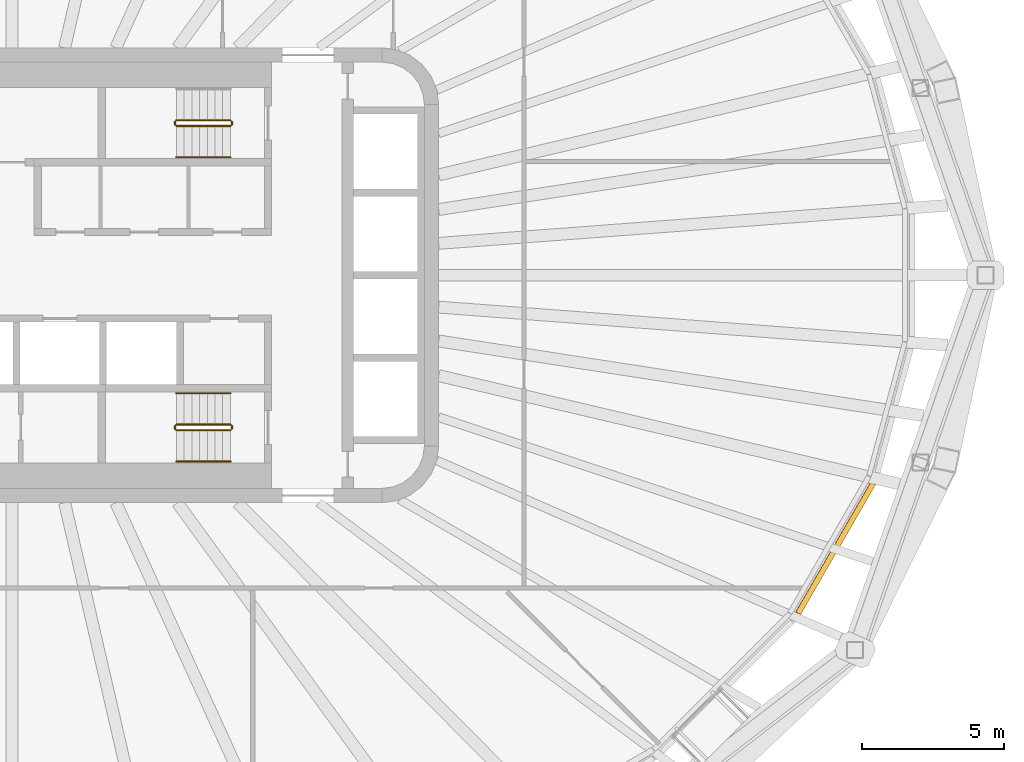
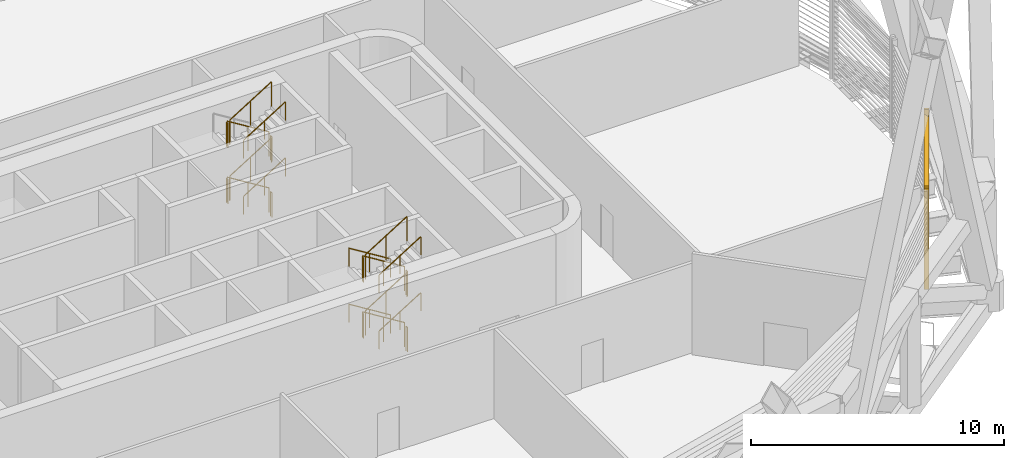
# One storey, part 15 of 18: 22 railings, 1 shading device.
"""IFC4 building model written with IfcOpenShell, lengths in metres."""

from ifc_helpers import new_model, si_unit, direction, frame, origin, origin_2d, place, context, subcontext, project, spatial, rectangle, circle, extrude, material, type_object, element, save


model = new_model("IFC4")

# Units and contexts
model_context = context("Model", 3, precision=1e-05, world=origin(), true_north=direction((0.0, 1.0)))
body_context = subcontext(model_context, "Body", "Model", "MODEL_VIEW")
ifc_project = project(units=[si_unit("LENGTHUNIT", "METRE"), si_unit("AREAUNIT", "SQUARE_METRE"), si_unit("VOLUMEUNIT", "CUBIC_METRE"), si_unit("PLANEANGLEUNIT", "RADIAN"), si_unit("MASSUNIT", "GRAM", prefix="KILO")], contexts=[model_context])

# Site, building, storey
site_placement = place(None, origin())
site = spatial("IfcSite", under=ifc_project, at=site_placement, CompositionType="ELEMENT")
building_placement = place(site_placement, origin())
building = spatial("IfcBuilding", under=site, at=building_placement, Name="Sahrelin Media Tower", CompositionType="ELEMENT")
storey_placement = place(building_placement, frame((0.0, 0.0, 148.199951171875)))
storey = spatial("IfcBuildingStorey", under=building, at=storey_placement, Name="L30", CompositionType="ELEMENT", Elevation=148.199951171875)

# Shading device
ifc_material_1 = material(Name="Champagne anodised aluminium 6063-T6", Category="aluminium")
shading_device_type = type_object("IfcShadingDeviceType", Name="Sand-rejection louvre band", PredefinedType="USERDEFINED", material=ifc_material_1)
shading_device_placement = place(storey_placement, frame((28.866943359375, -9.552734375, 0.0), z_axis=(0.0, 0.0, 1.0), x_axis=(-0.500011000363, -0.866019052629, 0.0)))
element("IfcShadingDevice", 1, at=shading_device_placement, inside=storey, type_object=shading_device_type, Name="L30:LOUVRE:L30-22", ObjectType="LOUVRE", PredefinedType="USERDEFINED", context=body_context, shape_type="SweptSolid", body=[
    extrude(rectangle(XDim=0.1201171875, YDim=0.199951171875, at=origin_2d()), frame((2.69580078125, 0.10009765625, 0.050048828125), z_axis=(0.0, 0.0, 1.0), x_axis=(1.0, 0.0, 0.0)), (0.0, 0.0, 1.0), 4.8984375),
    extrude(rectangle(XDim=0.1201171875, YDim=0.199951171875, at=origin_2d()), frame((-2.69580078125, 0.10009765625, 0.050048828125), z_axis=(0.0, 0.0, 1.0), x_axis=(1.0, 0.0, 0.0)), (0.0, 0.0, 1.0), 4.8984375),
    extrude(rectangle(XDim=0.25, YDim=0.02001953125, at=origin_2d()), frame((2.635986328125, 0.10009765625, 0.14990234375), z_axis=(-1.0, 0.0, 0.0), x_axis=(0.0, -0.766044443119, 0.642787609687)), (0.0, 0.0, 1.0), 5.27197265625),
    extrude(rectangle(XDim=0.25, YDim=0.02001953125, at=origin_2d()), frame((2.635986328125, 0.10009765625, 0.39990234375), z_axis=(-1.0, 0.0, 0.0), x_axis=(0.0, -0.766044443119, 0.642787609687)), (0.0, 0.0, 1.0), 5.27197265625),
    extrude(rectangle(XDim=0.25, YDim=0.02001953125, at=origin_2d()), frame((2.635986328125, 0.10009765625, 0.64990234375), z_axis=(-1.0, 0.0, 0.0), x_axis=(0.0, -0.766044443119, 0.642787609687)), (0.0, 0.0, 1.0), 5.27197265625),
    extrude(rectangle(XDim=0.25, YDim=0.02001953125, at=origin_2d()), frame((2.635986328125, 0.10009765625, 0.89990234375), z_axis=(-1.0, 0.0, 0.0), x_axis=(0.0, -0.766044443119, 0.642787609687)), (0.0, 0.0, 1.0), 5.27197265625),
    extrude(rectangle(XDim=0.25, YDim=0.02001953125, at=origin_2d()), frame((2.635986328125, 0.10009765625, 1.14990234375), z_axis=(-1.0, 0.0, 0.0), x_axis=(0.0, -0.766044443119, 0.642787609687)), (0.0, 0.0, 1.0), 5.27197265625),
    extrude(rectangle(XDim=0.25, YDim=0.02001953125, at=origin_2d()), frame((2.635986328125, 0.10009765625, 1.39990234375), z_axis=(-1.0, 0.0, 0.0), x_axis=(0.0, -0.766044443119, 0.642787609687)), (0.0, 0.0, 1.0), 5.27197265625),
    extrude(rectangle(XDim=0.25, YDim=0.02001953125, at=origin_2d()), frame((2.635986328125, 0.10009765625, 1.64990234375), z_axis=(-1.0, 0.0, 0.0), x_axis=(0.0, -0.766044443119, 0.642787609687)), (0.0, 0.0, 1.0), 5.27197265625),
    extrude(rectangle(XDim=0.25, YDim=0.02001953125, at=origin_2d()), frame((2.635986328125, 0.10009765625, 1.89990234375), z_axis=(-1.0, 0.0, 0.0), x_axis=(0.0, -0.766044443119, 0.642787609687)), (0.0, 0.0, 1.0), 5.27197265625),
    extrude(rectangle(XDim=0.25, YDim=0.02001953125, at=origin_2d()), frame((2.635986328125, 0.10009765625, 2.14990234375), z_axis=(-1.0, 0.0, 0.0), x_axis=(0.0, -0.766044443119, 0.642787609687)), (0.0, 0.0, 1.0), 5.27197265625),
    extrude(rectangle(XDim=0.25, YDim=0.02001953125, at=origin_2d()), frame((2.635986328125, 0.10009765625, 2.39990234375), z_axis=(-1.0, 0.0, 0.0), x_axis=(0.0, -0.766044443119, 0.642787609687)), (0.0, 0.0, 1.0), 5.27197265625),
    extrude(rectangle(XDim=0.25, YDim=0.02001953125, at=origin_2d()), frame((2.635986328125, 0.10009765625, 2.64990234375), z_axis=(-1.0, 0.0, 0.0), x_axis=(0.0, -0.766044443119, 0.642787609687)), (0.0, 0.0, 1.0), 5.27197265625),
    extrude(rectangle(XDim=0.25, YDim=0.02001953125, at=origin_2d()), frame((2.635986328125, 0.10009765625, 2.89990234375), z_axis=(-1.0, 0.0, 0.0), x_axis=(0.0, -0.766044443119, 0.642787609687)), (0.0, 0.0, 1.0), 5.27197265625),
    extrude(rectangle(XDim=0.25, YDim=0.02001953125, at=origin_2d()), frame((2.635986328125, 0.10009765625, 3.14990234375), z_axis=(-1.0, 0.0, 0.0), x_axis=(0.0, -0.766044443119, 0.642787609687)), (0.0, 0.0, 1.0), 5.27197265625),
    extrude(rectangle(XDim=0.25, YDim=0.02001953125, at=origin_2d()), frame((2.635986328125, 0.10009765625, 3.39990234375), z_axis=(-1.0, 0.0, 0.0), x_axis=(0.0, -0.766044443119, 0.642787609687)), (0.0, 0.0, 1.0), 5.27197265625),
    extrude(rectangle(XDim=0.25, YDim=0.02001953125, at=origin_2d()), frame((2.635986328125, 0.10009765625, 3.64990234375), z_axis=(-1.0, 0.0, 0.0), x_axis=(0.0, -0.766044443119, 0.642787609687)), (0.0, 0.0, 1.0), 5.27197265625),
    extrude(rectangle(XDim=0.25, YDim=0.02001953125, at=origin_2d()), frame((2.635986328125, 0.10009765625, 3.89990234375), z_axis=(-1.0, 0.0, 0.0), x_axis=(0.0, -0.766044443119, 0.642787609687)), (0.0, 0.0, 1.0), 5.27197265625),
    extrude(rectangle(XDim=0.25, YDim=0.02001953125, at=origin_2d()), frame((2.635986328125, 0.10009765625, 4.14990234375), z_axis=(-1.0, 0.0, 0.0), x_axis=(0.0, -0.766044443119, 0.642787609687)), (0.0, 0.0, 1.0), 5.27197265625),
    extrude(rectangle(XDim=0.25, YDim=0.02001953125, at=origin_2d()), frame((2.635986328125, 0.10009765625, 4.39990234375), z_axis=(-1.0, 0.0, 0.0), x_axis=(0.0, -0.766044443119, 0.642787609687)), (0.0, 0.0, 1.0), 5.27197265625),
    extrude(rectangle(XDim=0.25, YDim=0.02001953125, at=origin_2d()), frame((2.635986328125, 0.10009765625, 4.64990234375), z_axis=(-1.0, 0.0, 0.0), x_axis=(0.0, -0.766044443119, 0.642787609687)), (0.0, 0.0, 1.0), 5.27197265625),
])

# Railings
ifc_material_2 = material(Name="Steel S355", Category="steel")
railing_type_1 = type_object("IfcRailingType", Name="Stair guard 1200", PredefinedType="GUARDRAIL", material=ifc_material_2)
railing_1_placement = place(storey_placement, frame((7.675048828125, 5.449951171875, 0.168701171875)))
element("IfcRailing", 2, at=railing_1_placement, inside=storey, type_object=railing_type_1, Name="L30 ST3 stair guard 1", PredefinedType="GUARDRAIL", context=body_context, shape_type="SweptSolid", body=[
    extrude(circle(Radius=0.02392578125, at=origin_2d()), frame((0.0, 0.0, 1.17578125), z_axis=(-0.849240365539, 0.0, 0.528006440812), x_axis=(0.0, -1.0, 0.0)), (0.0, 0.0, 1.0), 2.237548828125),
    extrude(circle(Radius=0.02099609375, at=origin_2d()), origin(), (0.0, 0.0, 1.0), 1.15185546875),
    extrude(circle(Radius=0.02099609375, at=origin_2d()), frame((-0.9501953125, 0.0, 0.5908203125)), (0.0, 0.0, 1.0), 1.15185546875),
    extrude(circle(Radius=0.02099609375, at=origin_2d()), frame((-1.900146484375, 0.0, 1.181396484375)), (0.0, 0.0, 1.0), 1.15185546875),
])
railing_2_placement = place(storey_placement, frame((5.72509765625, 5.39990234375, 1.35009765625)))
element("IfcRailing", 3, at=railing_2_placement, inside=storey, type_object=railing_type_1, Name="L30 ST3 stair guard 2", PredefinedType="GUARDRAIL", context=body_context, shape_type="SweptSolid", body=[
    extrude(circle(Radius=0.02392578125, at=origin_2d()), frame((0.0, 0.0, 1.17578125), z_axis=(0.0, -1.0, 0.0), x_axis=(1.0, 0.0, 0.0)), (0.0, 0.0, 1.0), 0.099853515625),
    extrude(circle(Radius=0.02099609375, at=origin_2d()), origin(), (0.0, 0.0, 1.0), 1.15185546875),
    extrude(circle(Radius=0.02099609375, at=origin_2d()), frame((0.0, -0.099853515625, 0.0)), (0.0, 0.0, 1.0), 1.15185546875),
])
railing_3_placement = place(storey_placement, frame((5.77490234375, 5.25, 1.518798828125)))
element("IfcRailing", 4, at=railing_3_placement, inside=storey, type_object=railing_type_1, Name="L30 ST3 stair guard 3", PredefinedType="GUARDRAIL", context=body_context, shape_type="SweptSolid", body=[
    extrude(circle(Radius=0.02392578125, at=origin_2d()), frame((0.0, 0.0, 1.17578125), z_axis=(0.849289292259, 0.0, 0.527927739425), x_axis=(0.0, 1.0, 0.0)), (0.0, 0.0, 1.0), 2.2373046875),
    extrude(circle(Radius=0.02099609375, at=origin_2d()), origin(), (0.0, 0.0, 1.0), 1.15185546875),
    extrude(circle(Radius=0.02099609375, at=origin_2d()), frame((0.9501953125, 0.0, 0.590576171875)), (0.0, 0.0, 1.0), 1.15185546875),
    extrude(circle(Radius=0.02099609375, at=origin_2d()), frame((1.900146484375, 0.0, 1.18115234375)), (0.0, 0.0, 1.0), 1.15185546875),
])
railing_4_placement = place(storey_placement, frame((7.72509765625, 5.39990234375, 2.699951171875)))
element("IfcRailing", 5, at=railing_4_placement, inside=storey, type_object=railing_type_1, Name="L30 ST3 stair guard 4", PredefinedType="GUARDRAIL", context=body_context, shape_type="SweptSolid", body=[
    extrude(circle(Radius=0.02392578125, at=origin_2d()), frame((0.0, 0.0, 1.17578125), z_axis=(0.0, -1.0, 0.0), x_axis=(1.0, 0.0, 0.0)), (0.0, 0.0, 1.0), 0.099853515625),
    extrude(circle(Radius=0.02099609375, at=origin_2d()), origin(), (0.0, 0.0, 1.0), 1.15185546875),
    extrude(circle(Radius=0.02099609375, at=origin_2d()), frame((0.0, -0.099853515625, 0.0)), (0.0, 0.0, 1.0), 1.15185546875),
])
railing_5_placement = place(storey_placement, frame((7.675048828125, 5.449951171875, 2.868896484375)))
element("IfcRailing", 6, at=railing_5_placement, inside=storey, type_object=railing_type_1, Name="L30 ST3 stair guard 5", PredefinedType="GUARDRAIL", context=body_context, shape_type="SweptSolid", body=[
    extrude(circle(Radius=0.02392578125, at=origin_2d()), frame((0.0, 0.0, 1.17578125), z_axis=(-0.849289292259, 0.0, 0.527927739425), x_axis=(0.0, -1.0, 0.0)), (0.0, 0.0, 1.0), 2.2373046875),
    extrude(circle(Radius=0.02099609375, at=origin_2d()), origin(), (0.0, 0.0, 1.0), 1.15185546875),
    extrude(circle(Radius=0.02099609375, at=origin_2d()), frame((-0.9501953125, 0.0, 0.590576171875)), (0.0, 0.0, 1.0), 1.15185546875),
    extrude(circle(Radius=0.02099609375, at=origin_2d()), frame((-1.900146484375, 0.0, 1.18115234375)), (0.0, 0.0, 1.0), 1.15185546875),
])
railing_6_placement = place(storey_placement, frame((5.72509765625, 5.39990234375, 4.050048828125)))
element("IfcRailing", 7, at=railing_6_placement, inside=storey, type_object=railing_type_1, Name="L30 ST3 stair guard 6", PredefinedType="GUARDRAIL", context=body_context, shape_type="SweptSolid", body=[
    extrude(circle(Radius=0.02392578125, at=origin_2d()), frame((0.0, 0.0, 1.17578125), z_axis=(0.0, -1.0, 0.0), x_axis=(1.0, 0.0, 0.0)), (0.0, 0.0, 1.0), 0.099853515625),
    extrude(circle(Radius=0.02099609375, at=origin_2d()), origin(), (0.0, 0.0, 1.0), 1.15185546875),
    extrude(circle(Radius=0.02099609375, at=origin_2d()), frame((0.0, -0.099853515625, 0.0)), (0.0, 0.0, 1.0), 1.15185546875),
])
railing_7_placement = place(storey_placement, frame((5.77490234375, 5.25, 4.21875)))
element("IfcRailing", 8, at=railing_7_placement, inside=storey, type_object=railing_type_1, Name="L30 ST3 stair guard 7", PredefinedType="GUARDRAIL", context=body_context, shape_type="SweptSolid", body=[
    extrude(circle(Radius=0.02392578125, at=origin_2d()), frame((0.0, 0.0, 1.17578125), z_axis=(0.849240365539, 0.0, 0.528006440812), x_axis=(0.0, 1.0, 0.0)), (0.0, 0.0, 1.0), 2.237548828125),
    extrude(circle(Radius=0.02099609375, at=origin_2d()), origin(), (0.0, 0.0, 1.0), 1.15185546875),
    extrude(circle(Radius=0.02099609375, at=origin_2d()), frame((0.9501953125, 0.0, 0.5908203125)), (0.0, 0.0, 1.0), 1.15185546875),
    extrude(circle(Radius=0.02099609375, at=origin_2d()), frame((1.900146484375, 0.0, 1.181396484375)), (0.0, 0.0, 1.0), 1.15185546875),
])
railing_8_placement = place(storey_placement, frame((7.72509765625, 5.39990234375, 0.0)))
element("IfcRailing", 9, at=railing_8_placement, inside=storey, type_object=railing_type_1, Name="L30 ST3 stair guard 8", PredefinedType="GUARDRAIL", context=body_context, shape_type="SweptSolid", body=[
    extrude(circle(Radius=0.02392578125, at=origin_2d()), frame((0.0, 0.0, 1.17578125), z_axis=(0.0, -1.0, 0.0), x_axis=(1.0, 0.0, 0.0)), (0.0, 0.0, 1.0), 0.099853515625),
    extrude(circle(Radius=0.02099609375, at=origin_2d()), origin(), (0.0, 0.0, 1.0), 1.15185546875),
    extrude(circle(Radius=0.02099609375, at=origin_2d()), frame((0.0, -0.099853515625, 0.0)), (0.0, 0.0, 1.0), 1.15185546875),
])
railing_9_placement = place(storey_placement, frame((7.675048828125, -5.25, 0.168701171875)))
element("IfcRailing", 10, at=railing_9_placement, inside=storey, type_object=railing_type_1, Name="L30 ST2 stair guard 1", PredefinedType="GUARDRAIL", context=body_context, shape_type="SweptSolid", body=[
    extrude(circle(Radius=0.02392578125, at=origin_2d()), frame((0.0, 0.0, 1.17578125), z_axis=(-0.849240365539, 0.0, 0.528006440812), x_axis=(0.0, -1.0, 0.0)), (0.0, 0.0, 1.0), 2.237548828125),
    extrude(circle(Radius=0.02099609375, at=origin_2d()), origin(), (0.0, 0.0, 1.0), 1.15185546875),
    extrude(circle(Radius=0.02099609375, at=origin_2d()), frame((-0.9501953125, 0.0, 0.5908203125)), (0.0, 0.0, 1.0), 1.15185546875),
    extrude(circle(Radius=0.02099609375, at=origin_2d()), frame((-1.900146484375, 0.0, 1.181396484375)), (0.0, 0.0, 1.0), 1.15185546875),
])
railing_10_placement = place(storey_placement, frame((5.72509765625, -5.300048828125, 1.35009765625)))
element("IfcRailing", 11, at=railing_10_placement, inside=storey, type_object=railing_type_1, Name="L30 ST2 stair guard 2", PredefinedType="GUARDRAIL", context=body_context, shape_type="SweptSolid", body=[
    extrude(circle(Radius=0.02392578125, at=origin_2d()), frame((0.0, 0.0, 1.17578125), z_axis=(0.0, -1.0, 0.0), x_axis=(1.0, 0.0, 0.0)), (0.0, 0.0, 1.0), 0.099853515625),
    extrude(circle(Radius=0.02099609375, at=origin_2d()), origin(), (0.0, 0.0, 1.0), 1.15185546875),
    extrude(circle(Radius=0.02099609375, at=origin_2d()), frame((0.0, -0.099853515625, 0.0)), (0.0, 0.0, 1.0), 1.15185546875),
])
railing_11_placement = place(storey_placement, frame((5.77490234375, -5.449951171875, 1.518798828125)))
element("IfcRailing", 12, at=railing_11_placement, inside=storey, type_object=railing_type_1, Name="L30 ST2 stair guard 3", PredefinedType="GUARDRAIL", context=body_context, shape_type="SweptSolid", body=[
    extrude(circle(Radius=0.02392578125, at=origin_2d()), frame((0.0, 0.0, 1.17578125), z_axis=(0.849289292259, 0.0, 0.527927739425), x_axis=(0.0, 1.0, 0.0)), (0.0, 0.0, 1.0), 2.2373046875),
    extrude(circle(Radius=0.02099609375, at=origin_2d()), origin(), (0.0, 0.0, 1.0), 1.15185546875),
    extrude(circle(Radius=0.02099609375, at=origin_2d()), frame((0.9501953125, 0.0, 0.590576171875)), (0.0, 0.0, 1.0), 1.15185546875),
    extrude(circle(Radius=0.02099609375, at=origin_2d()), frame((1.900146484375, 0.0, 1.18115234375)), (0.0, 0.0, 1.0), 1.15185546875),
])
railing_12_placement = place(storey_placement, frame((7.72509765625, -5.300048828125, 2.699951171875)))
element("IfcRailing", 13, at=railing_12_placement, inside=storey, type_object=railing_type_1, Name="L30 ST2 stair guard 4", PredefinedType="GUARDRAIL", context=body_context, shape_type="SweptSolid", body=[
    extrude(circle(Radius=0.02392578125, at=origin_2d()), frame((0.0, 0.0, 1.17578125), z_axis=(0.0, -1.0, 0.0), x_axis=(1.0, 0.0, 0.0)), (0.0, 0.0, 1.0), 0.099853515625),
    extrude(circle(Radius=0.02099609375, at=origin_2d()), origin(), (0.0, 0.0, 1.0), 1.15185546875),
    extrude(circle(Radius=0.02099609375, at=origin_2d()), frame((0.0, -0.099853515625, 0.0)), (0.0, 0.0, 1.0), 1.15185546875),
])
railing_13_placement = place(storey_placement, frame((7.675048828125, -5.25, 2.868896484375)))
element("IfcRailing", 14, at=railing_13_placement, inside=storey, type_object=railing_type_1, Name="L30 ST2 stair guard 5", PredefinedType="GUARDRAIL", context=body_context, shape_type="SweptSolid", body=[
    extrude(circle(Radius=0.02392578125, at=origin_2d()), frame((0.0, 0.0, 1.17578125), z_axis=(-0.849289292259, 0.0, 0.527927739425), x_axis=(0.0, -1.0, 0.0)), (0.0, 0.0, 1.0), 2.2373046875),
    extrude(circle(Radius=0.02099609375, at=origin_2d()), origin(), (0.0, 0.0, 1.0), 1.15185546875),
    extrude(circle(Radius=0.02099609375, at=origin_2d()), frame((-0.9501953125, 0.0, 0.590576171875)), (0.0, 0.0, 1.0), 1.15185546875),
    extrude(circle(Radius=0.02099609375, at=origin_2d()), frame((-1.900146484375, 0.0, 1.18115234375)), (0.0, 0.0, 1.0), 1.15185546875),
])
railing_14_placement = place(storey_placement, frame((5.72509765625, -5.300048828125, 4.050048828125)))
element("IfcRailing", 15, at=railing_14_placement, inside=storey, type_object=railing_type_1, Name="L30 ST2 stair guard 6", PredefinedType="GUARDRAIL", context=body_context, shape_type="SweptSolid", body=[
    extrude(circle(Radius=0.02392578125, at=origin_2d()), frame((0.0, 0.0, 1.17578125), z_axis=(0.0, -1.0, 0.0), x_axis=(1.0, 0.0, 0.0)), (0.0, 0.0, 1.0), 0.099853515625),
    extrude(circle(Radius=0.02099609375, at=origin_2d()), origin(), (0.0, 0.0, 1.0), 1.15185546875),
    extrude(circle(Radius=0.02099609375, at=origin_2d()), frame((0.0, -0.099853515625, 0.0)), (0.0, 0.0, 1.0), 1.15185546875),
])
railing_15_placement = place(storey_placement, frame((5.77490234375, -5.449951171875, 4.21875)))
element("IfcRailing", 16, at=railing_15_placement, inside=storey, type_object=railing_type_1, Name="L30 ST2 stair guard 7", PredefinedType="GUARDRAIL", context=body_context, shape_type="SweptSolid", body=[
    extrude(circle(Radius=0.02392578125, at=origin_2d()), frame((0.0, 0.0, 1.17578125), z_axis=(0.849240365539, 0.0, 0.528006440812), x_axis=(0.0, 1.0, 0.0)), (0.0, 0.0, 1.0), 2.237548828125),
    extrude(circle(Radius=0.02099609375, at=origin_2d()), origin(), (0.0, 0.0, 1.0), 1.15185546875),
    extrude(circle(Radius=0.02099609375, at=origin_2d()), frame((0.9501953125, 0.0, 0.5908203125)), (0.0, 0.0, 1.0), 1.15185546875),
    extrude(circle(Radius=0.02099609375, at=origin_2d()), frame((1.900146484375, 0.0, 1.181396484375)), (0.0, 0.0, 1.0), 1.15185546875),
])
railing_16_placement = place(storey_placement, frame((7.72509765625, -5.300048828125, 0.0)))
element("IfcRailing", 17, at=railing_16_placement, inside=storey, type_object=railing_type_1, Name="L30 ST2 stair guard 8", PredefinedType="GUARDRAIL", context=body_context, shape_type="SweptSolid", body=[
    extrude(circle(Radius=0.02392578125, at=origin_2d()), frame((0.0, 0.0, 1.17578125), z_axis=(0.0, -1.0, 0.0), x_axis=(1.0, 0.0, 0.0)), (0.0, 0.0, 1.0), 0.099853515625),
    extrude(circle(Radius=0.02099609375, at=origin_2d()), origin(), (0.0, 0.0, 1.0), 1.15185546875),
    extrude(circle(Radius=0.02099609375, at=origin_2d()), frame((0.0, -0.099853515625, 0.0)), (0.0, 0.0, 1.0), 1.15185546875),
])
railing_type_2 = type_object("IfcRailingType", Name="Stair handrail 900", PredefinedType="HANDRAIL", material=ifc_material_2)
railing_17_placement = place(storey_placement, frame((5.77490234375, 4.14990234375, 1.518798828125)))
element("IfcRailing", 18, at=railing_17_placement, inside=storey, type_object=railing_type_2, Name="L30 ST3 stair handrail 2", PredefinedType="HANDRAIL", context=body_context, shape_type="SweptSolid", body=[
    extrude(circle(Radius=0.02392578125, at=origin_2d()), frame((0.0, 0.0, 0.8759765625), z_axis=(0.849289292259, 0.0, 0.527927739425), x_axis=(0.0, 1.0, 0.0)), (0.0, 0.0, 1.0), 2.2373046875),
    extrude(circle(Radius=0.02099609375, at=origin_2d()), origin(), (0.0, 0.0, 1.0), 0.851806640625),
    extrude(circle(Radius=0.02099609375, at=origin_2d()), frame((0.9501953125, 0.0, 0.590576171875)), (0.0, 0.0, 1.0), 0.851806640625),
    extrude(circle(Radius=0.02099609375, at=origin_2d()), frame((1.900146484375, 0.0, 1.18115234375)), (0.0, 0.0, 1.0), 0.851806640625),
])
railing_18_placement = place(storey_placement, frame((5.77490234375, 4.14990234375, 4.21875)))
element("IfcRailing", 19, at=railing_18_placement, inside=storey, type_object=railing_type_2, Name="L30 ST3 stair handrail 4", PredefinedType="HANDRAIL", context=body_context, shape_type="SweptSolid", body=[
    extrude(circle(Radius=0.02392578125, at=origin_2d()), frame((0.0, 0.0, 0.8759765625), z_axis=(0.849240365539, 0.0, 0.528006440812), x_axis=(0.0, 1.0, 0.0)), (0.0, 0.0, 1.0), 2.237548828125),
    extrude(circle(Radius=0.02099609375, at=origin_2d()), origin(), (0.0, 0.0, 1.0), 0.851806640625),
    extrude(circle(Radius=0.02099609375, at=origin_2d()), frame((0.9501953125, 0.0, 0.5908203125)), (0.0, 0.0, 1.0), 0.851806640625),
    extrude(circle(Radius=0.02099609375, at=origin_2d()), frame((1.900146484375, 0.0, 1.181396484375)), (0.0, 0.0, 1.0), 0.851806640625),
])
railing_19_placement = place(storey_placement, frame((7.675048828125, -4.14990234375, 0.168701171875)))
element("IfcRailing", 20, at=railing_19_placement, inside=storey, type_object=railing_type_2, Name="L30 ST2 stair handrail 1", PredefinedType="HANDRAIL", context=body_context, shape_type="SweptSolid", body=[
    extrude(circle(Radius=0.02392578125, at=origin_2d()), frame((0.0, 0.0, 0.8759765625), z_axis=(-0.849240365539, 0.0, 0.528006440812), x_axis=(0.0, -1.0, 0.0)), (0.0, 0.0, 1.0), 2.237548828125),
    extrude(circle(Radius=0.02099609375, at=origin_2d()), origin(), (0.0, 0.0, 1.0), 0.851806640625),
    extrude(circle(Radius=0.02099609375, at=origin_2d()), frame((-0.9501953125, 0.0, 0.5908203125)), (0.0, 0.0, 1.0), 0.851806640625),
    extrude(circle(Radius=0.02099609375, at=origin_2d()), frame((-1.900146484375, 0.0, 1.181396484375)), (0.0, 0.0, 1.0), 0.851806640625),
])
railing_20_placement = place(storey_placement, frame((5.77490234375, -6.550048828125, 1.518798828125)))
element("IfcRailing", 21, at=railing_20_placement, inside=storey, type_object=railing_type_2, Name="L30 ST2 stair handrail 2", PredefinedType="HANDRAIL", context=body_context, shape_type="SweptSolid", body=[
    extrude(circle(Radius=0.02392578125, at=origin_2d()), frame((0.0, 0.0, 0.8759765625), z_axis=(0.849289292259, 0.0, 0.527927739425), x_axis=(0.0, 1.0, 0.0)), (0.0, 0.0, 1.0), 2.2373046875),
    extrude(circle(Radius=0.02099609375, at=origin_2d()), origin(), (0.0, 0.0, 1.0), 0.851806640625),
    extrude(circle(Radius=0.02099609375, at=origin_2d()), frame((0.9501953125, 0.0, 0.590576171875)), (0.0, 0.0, 1.0), 0.851806640625),
    extrude(circle(Radius=0.02099609375, at=origin_2d()), frame((1.900146484375, 0.0, 1.18115234375)), (0.0, 0.0, 1.0), 0.851806640625),
])
railing_21_placement = place(storey_placement, frame((7.675048828125, -4.14990234375, 2.868896484375)))
element("IfcRailing", 22, at=railing_21_placement, inside=storey, type_object=railing_type_2, Name="L30 ST2 stair handrail 3", PredefinedType="HANDRAIL", context=body_context, shape_type="SweptSolid", body=[
    extrude(circle(Radius=0.02392578125, at=origin_2d()), frame((0.0, 0.0, 0.8759765625), z_axis=(-0.849289292259, 0.0, 0.527927739425), x_axis=(0.0, -1.0, 0.0)), (0.0, 0.0, 1.0), 2.2373046875),
    extrude(circle(Radius=0.02099609375, at=origin_2d()), origin(), (0.0, 0.0, 1.0), 0.851806640625),
    extrude(circle(Radius=0.02099609375, at=origin_2d()), frame((-0.9501953125, 0.0, 0.590576171875)), (0.0, 0.0, 1.0), 0.851806640625),
    extrude(circle(Radius=0.02099609375, at=origin_2d()), frame((-1.900146484375, 0.0, 1.18115234375)), (0.0, 0.0, 1.0), 0.851806640625),
])
railing_22_placement = place(storey_placement, frame((5.77490234375, -6.550048828125, 4.21875)))
element("IfcRailing", 23, at=railing_22_placement, inside=storey, type_object=railing_type_2, Name="L30 ST2 stair handrail 4", PredefinedType="HANDRAIL", context=body_context, shape_type="SweptSolid", body=[
    extrude(circle(Radius=0.02392578125, at=origin_2d()), frame((0.0, 0.0, 0.8759765625), z_axis=(0.849240365539, 0.0, 0.528006440812), x_axis=(0.0, 1.0, 0.0)), (0.0, 0.0, 1.0), 2.237548828125),
    extrude(circle(Radius=0.02099609375, at=origin_2d()), origin(), (0.0, 0.0, 1.0), 0.851806640625),
    extrude(circle(Radius=0.02099609375, at=origin_2d()), frame((0.9501953125, 0.0, 0.5908203125)), (0.0, 0.0, 1.0), 0.851806640625),
    extrude(circle(Radius=0.02099609375, at=origin_2d()), frame((1.900146484375, 0.0, 1.181396484375)), (0.0, 0.0, 1.0), 0.851806640625),
])

save(model, "model.ifc")
